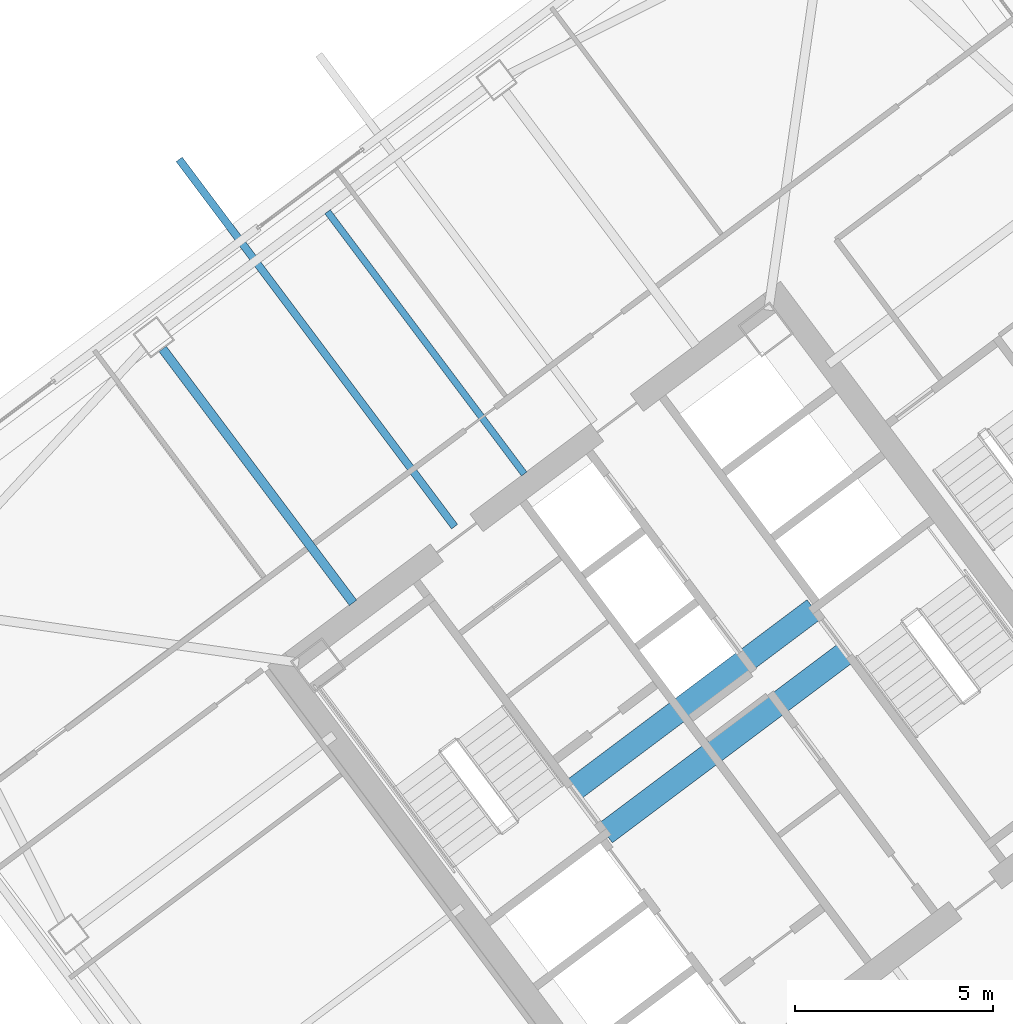
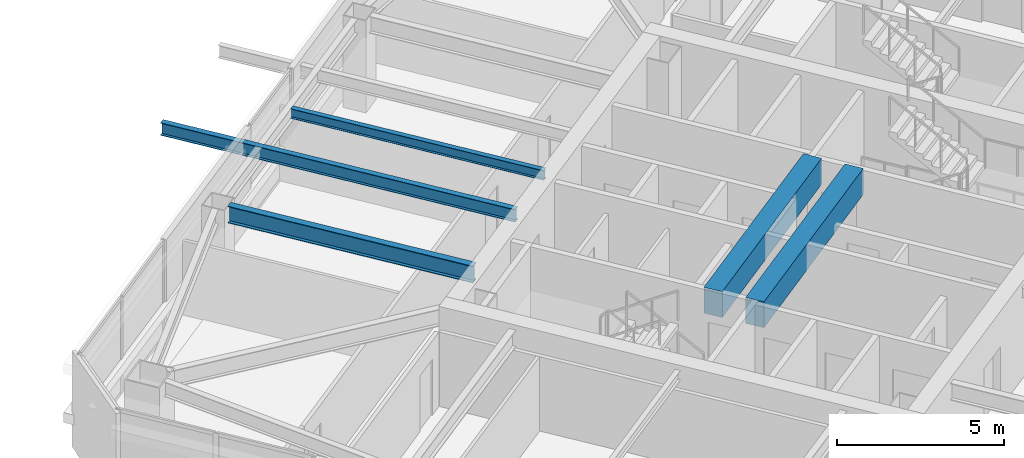
# One storey, part 23 of 43: 5 beams.
"""IFC4 building model written with IfcOpenShell, lengths in metres."""

from ifc_helpers import new_model, si_unit, direction, frame, origin, origin_2d, place, context, subcontext, project, spatial, rectangle, i_section, extrude, material, material_profile, profile_set, type_object, element, save


model = new_model("IFC4")

# Units and contexts
model_context = context("Model", 3, precision=1e-05, world=origin(), true_north=direction((0.0, 1.0)))
body_context = subcontext(model_context, "Body", "Model", "MODEL_VIEW")
ifc_project = project(units=[si_unit("LENGTHUNIT", "METRE"), si_unit("AREAUNIT", "SQUARE_METRE"), si_unit("VOLUMEUNIT", "CUBIC_METRE"), si_unit("PLANEANGLEUNIT", "RADIAN"), si_unit("MASSUNIT", "GRAM", prefix="KILO")], contexts=[model_context])

# Site, building, storey
site_placement = place(None, origin())
site = spatial("IfcSite", under=ifc_project, at=site_placement, CompositionType="ELEMENT")
building_placement = place(site_placement, origin())
building = spatial("IfcBuilding", under=site, at=building_placement, Name="Tashvorn Skyway Center", CompositionType="ELEMENT")
storey_placement = place(building_placement, frame((0.0, 0.0, 185.39990234375)))
storey = spatial("IfcBuildingStorey", under=building, at=storey_placement, Name="L50", CompositionType="ELEMENT", Elevation=185.39990234375)

# Beams
ifc_material_1 = material(Name="Steel ASTM A992 Grade 50", Category="steel")
ifc_material_profile_1 = material_profile(ifc_material_1, i_section(OverallWidth=0.22998046875, OverallDepth=0.616943359375, WebThickness=0.01318359375, FlangeThickness=0.022216796875, at=origin_2d()), Name="W24X94")
ifc_profile_set_1 = profile_set([ifc_material_profile_1], Name="Steel ASTM A992 Grade 50")
beam_type_1 = type_object("IfcBeamType", Name="BM-BEAM-W24X94", PredefinedType="BEAM", material=ifc_profile_set_1)
beam_1_placement = place(storey_placement, frame((100.2119140625, 41.384033203125, 3.0615234375), z_axis=(0.599995117266, -0.800003662027, 0.0), x_axis=(0.800003662027, 0.599995117266, 0.0)))
element("IfcBeam", 1, at=beam_1_placement, inside=storey, type_object=beam_type_1, Name="Tower 2 L50 Primary Floor Girder FC-N2", PredefinedType="BEAM", context=body_context, shape_type="SweptSolid", body=[
    extrude(i_section(OverallWidth=0.22998046875, OverallDepth=0.616943359375, WebThickness=0.01318359375, FlangeThickness=0.022216796875, at=origin_2d()), origin(), (0.0, 0.0, 1.0), 8.000244140625),
])
ifc_material_profile_2 = material_profile(ifc_material_1, i_section(OverallWidth=0.1708984375, OverallDepth=0.35498046875, WebThickness=0.007080078125, FlangeThickness=0.01171875, at=origin_2d()), Name="W14X34")
ifc_profile_set_2 = profile_set([ifc_material_profile_2], Name="Steel ASTM A992 Grade 50")
beam_type_2 = type_object("IfcBeamType", Name="BM-JOIST-W14X34", PredefinedType="JOIST", material=ifc_profile_set_2)
beam_2_placement = place(storey_placement, frame((109.325927734375, 38.23193359375, 3.192626953125), z_axis=(-0.59999527236, 0.800003545708, 0.0), x_axis=(-0.800003545708, -0.59999527236, 0.0)))
element("IfcBeam", 2, at=beam_2_placement, inside=storey, type_object=beam_type_2, Name="Tower 2 L50 Secondary Composite Joist JN", PredefinedType="JOIST", context=body_context, shape_type="SweptSolid", body=[
    extrude(i_section(OverallWidth=0.1708984375, OverallDepth=0.35498046875, WebThickness=0.007080078125, FlangeThickness=0.01171875, at=origin_2d()), origin(), (0.0, 0.0, 1.0), 8.2626953125),
])
ifc_material_profile_3 = material_profile(ifc_material_1, i_section(OverallWidth=0.19091796875, OverallDepth=0.4599609375, WebThickness=0.010009765625, FlangeThickness=0.01611328125, at=origin_2d()), Name="W18X55")
ifc_profile_set_3 = profile_set([ifc_material_profile_3], Name="Steel ASTM A992 Grade 50")
beam_type_3 = type_object("IfcBeamType", Name="BM-JOIST-W18X55", PredefinedType="JOIST", material=ifc_profile_set_3)
beam_3_placement = place(storey_placement, frame((107.572021484375, 36.904052734375, 3.14013671875), z_axis=(-0.600013504702, 0.799989871295, 0.0), x_axis=(-0.799989871295, -0.600013504702, 0.0)))
element("IfcBeam", 3, at=beam_3_placement, inside=storey, type_object=beam_type_3, Name="Tower 2 L51 Terrace Cantilever Outlooker 1", PredefinedType="JOIST", context=body_context, shape_type="SweptSolid", body=[
    extrude(i_section(OverallWidth=0.19091796875, OverallDepth=0.4599609375, WebThickness=0.010009765625, FlangeThickness=0.01611328125, at=origin_2d()), origin(), (0.0, 0.0, 1.0), 11.570068359375),
])
ifc_material_2 = material(Name="Concrete C60/75", Category="concrete")
ifc_material_profile_4 = material_profile(ifc_material_2, rectangle(XDim=0.60009765625, YDim=0.949951171875, at=origin_2d()), Name="RCB600x950")
ifc_profile_set_4 = profile_set([ifc_material_profile_4], Name="Concrete C60/75")
beam_type_4 = type_object("IfcBeamType", Name="BM-LINTEL-RCB600x950", PredefinedType="LINTEL", material=ifc_profile_set_4)
for number, where, z_axis, x_axis, name in (
    (4, (110.552001953125, 30.263916015625, 2.89501953125), (0.8, 0.6, 0.0), (-0.6, 0.8, 0.0), "Tower 2 L50 Core Coupling Beam CN"),
    (5, (111.367919921875, 29.176025390625, 2.89501953125), (0.8, 0.6, 0.0), (-0.6, 0.8, 0.0), "Tower 2 L50 Core Coupling Beam CS"),
):
    element("IfcBeam", number, at=place(storey_placement, frame(where, z_axis=z_axis, x_axis=x_axis)), inside=storey, type_object=beam_type_4, Name=name, PredefinedType="LINTEL", context=body_context, shape_type="SweptSolid", body=[
        extrude(rectangle(XDim=0.60009765625, YDim=0.949951171875, at=origin_2d()), origin(), (0.0, 0.0, 1.0), 7.60009765625),
    ])

save(model, "model.ifc")
